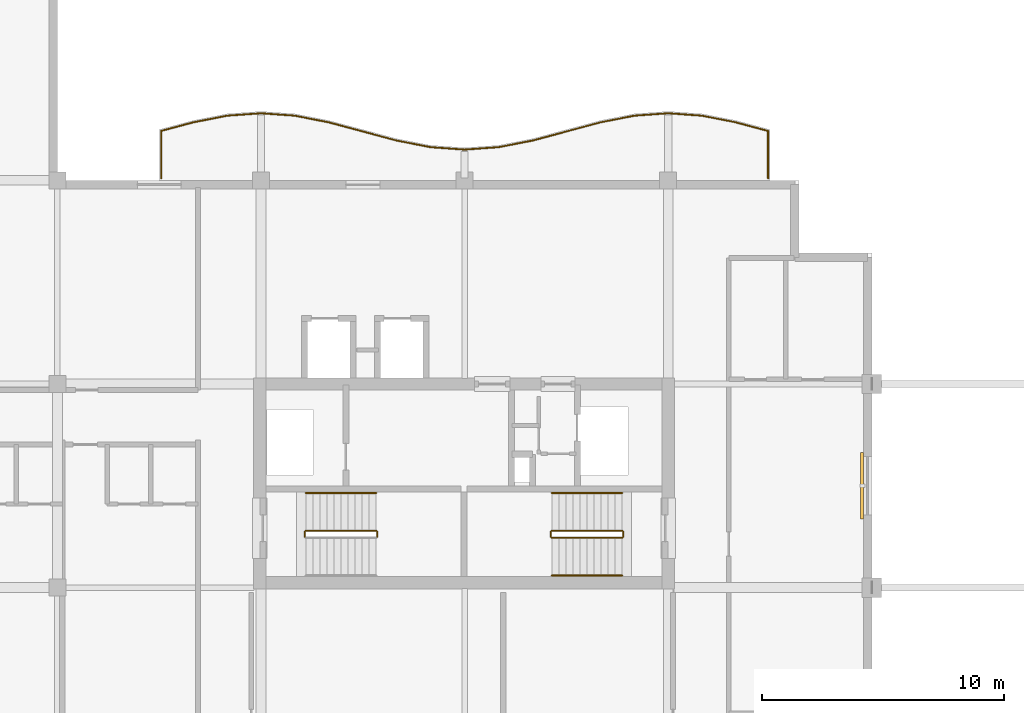
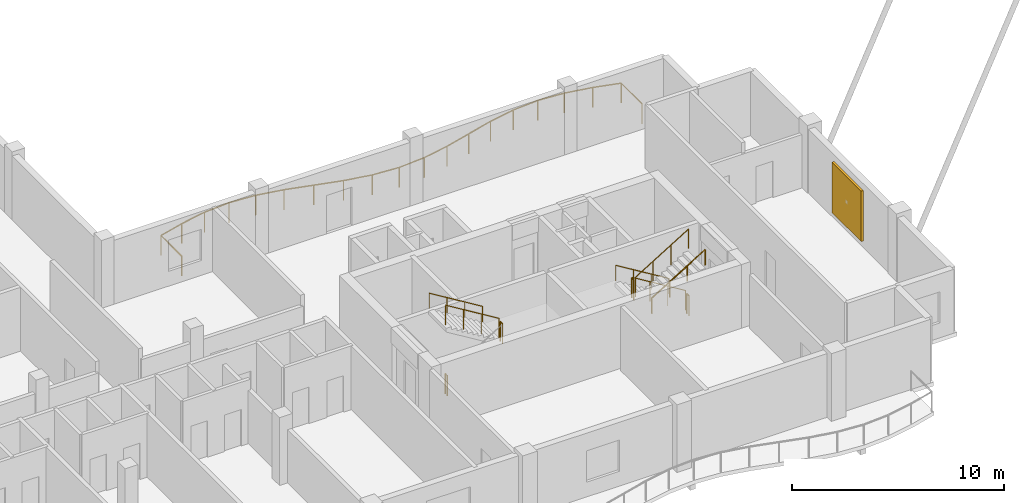
# One storey, part 16 of 17: 11 railings, 1 shading device.
"""IFC4 building model written with IfcOpenShell, lengths in metres."""

from ifc_helpers import new_model, si_unit, direction, frame, origin, origin_2d, place, context, subcontext, project, spatial, rectangle, circle, extrude, material, layer, layer_set, type_object, element, save


model = new_model("IFC4")

# Units and contexts
model_context = context("Model", 3, precision=1e-05, world=origin(), true_north=direction((0.0, 1.0)))
body_context = subcontext(model_context, "Body", "Model", "MODEL_VIEW")
ifc_project = project(units=[si_unit("LENGTHUNIT", "METRE"), si_unit("AREAUNIT", "SQUARE_METRE"), si_unit("VOLUMEUNIT", "CUBIC_METRE"), si_unit("PLANEANGLEUNIT", "RADIAN"), si_unit("MASSUNIT", "GRAM", prefix="KILO")], contexts=[model_context])

# Site, building, storey
site_placement = place(None, origin())
site = spatial("IfcSite", under=ifc_project, at=site_placement, CompositionType="ELEMENT")
building_placement = place(site_placement, origin())
building = spatial("IfcBuilding", under=site, at=building_placement, Name="Koriwani Terraces Tower", CompositionType="ELEMENT")
storey_placement = place(building_placement, frame((0.0, 0.0, 347.60009765625)))
storey = spatial("IfcBuildingStorey", under=building, at=storey_placement, Name="L86", CompositionType="ELEMENT", Elevation=347.60009765625)

# Railings
ifc_material_1 = material(Name="Steel ASTM A572 Grade 50", Category="steel")
railing_type_1 = type_object("IfcRailingType", Name="GUARD_BALUSTRADE_1150", PredefinedType="BALUSTRADE", material=ifc_material_1)
railing_1_placement = place(storey_placement, frame((62.919921875, 33.679931640625, 0.0)))
element("IfcRailing", 1, at=railing_1_placement, inside=storey, type_object=railing_type_1, Name="L86 Balcony Perimeter Safety Balustrade (NE)", PredefinedType="BALUSTRADE", context=body_context, shape_type="SweptSolid", body=[
    extrude(circle(Radius=0.02392578125, at=origin_2d()), frame((0.0, 0.0, 1.1259765625), z_axis=(0.0, 1.0, 0.0), x_axis=(-1.0, 0.0, 0.0)), (0.0, 0.0, 1.0), 1.958740234375),
    extrude(circle(Radius=0.02392578125, at=origin_2d()), frame((0.0, 1.958740234375, 1.1259765625), z_axis=(-0.965953557044, 0.25871553033, 0.0), x_axis=(-0.25871553033, -0.965953557044, 0.0)), (0.0, 0.0, 1.0), 1.38525390625),
    extrude(circle(Radius=0.02392578125, at=origin_2d()), frame((-1.338134765625, 2.317138671875, 1.1259765625), z_axis=(-0.981321393675, 0.19237547223, 0.0), x_axis=(-0.19237547223, -0.981321393675, 0.0)), (0.0, 0.0, 1.0), 1.4189453125),
    extrude(circle(Radius=0.02392578125, at=origin_2d()), frame((-2.73046875, 2.590087890625, 1.1259765625), z_axis=(-0.997427466293, 0.07168297904, 0.0), x_axis=(-0.07168297904, -0.997427466293, 0.0)), (0.0, 0.0, 1.0), 1.39306640625),
    extrude(circle(Radius=0.02392578125, at=origin_2d()), frame((-4.119873046875, 2.68994140625, 1.1259765625), z_axis=(-0.997427466293, -0.07168297904, 0.0), x_axis=(0.07168297904, -0.997427466293, 0.0)), (0.0, 0.0, 1.0), 1.39306640625),
    extrude(circle(Radius=0.02392578125, at=origin_2d()), frame((-5.50927734375, 2.590087890625, 1.1259765625), z_axis=(-0.981327760125, -0.192342993657, 0.0), x_axis=(0.192342993657, -0.981327760125, 0.0)), (0.0, 0.0, 1.0), 1.419189453125),
    extrude(circle(Radius=0.02392578125, at=origin_2d()), frame((-6.90185546875, 2.317138671875, 1.1259765625), z_axis=(-0.96594917914, -0.258731875344, 0.0), x_axis=(0.258731875344, -0.96594917914, 0.0)), (0.0, 0.0, 1.0), 2.898681640625),
    extrude(circle(Radius=0.02392578125, at=origin_2d()), frame((-9.701904296875, 1.567138671875, 1.1259765625), z_axis=(-0.981358469957, -0.192186246762, 0.0), x_axis=(0.192186246762, -0.981358469957, 0.0)), (0.0, 0.0, 1.0), 1.434326171875),
    extrude(circle(Radius=0.02392578125, at=origin_2d()), frame((-11.109375, 1.29150390625, 1.1259765625), z_axis=(-0.997430581876, -0.071639614309, 0.0), x_axis=(0.071639614309, -0.997430581876, 0.0)), (0.0, 0.0, 1.0), 1.414306640625),
    extrude(circle(Radius=0.02392578125, at=origin_2d()), frame((-12.52001953125, 1.190185546875, 1.1259765625), z_axis=(-0.997429695692, 0.071651951482, 0.0), x_axis=(-0.071651951482, -0.997429695692, 0.0)), (0.0, 0.0, 1.0), 1.4140625),
    extrude(circle(Radius=0.02392578125, at=origin_2d()), frame((-13.930419921875, 1.29150390625, 1.1259765625), z_axis=(-0.981358469957, 0.192186246762, 0.0), x_axis=(-0.192186246762, -0.981358469957, 0.0)), (0.0, 0.0, 1.0), 1.434326171875),
    extrude(circle(Radius=0.02392578125, at=origin_2d()), frame((-15.337890625, 1.567138671875, 1.1259765625), z_axis=(-0.96594917914, 0.258731875344, 0.0), x_axis=(-0.258731875344, -0.96594917914, 0.0)), (0.0, 0.0, 1.0), 2.898681640625),
    extrude(circle(Radius=0.02392578125, at=origin_2d()), frame((-18.137939453125, 2.317138671875, 1.1259765625), z_axis=(-0.981327760125, 0.192342993657, 0.0), x_axis=(-0.192342993657, -0.981327760125, 0.0)), (0.0, 0.0, 1.0), 1.419189453125),
    extrude(circle(Radius=0.02392578125, at=origin_2d()), frame((-19.530517578125, 2.590087890625, 1.1259765625), z_axis=(-0.997427466293, 0.07168297904, 0.0), x_axis=(-0.07168297904, -0.997427466293, 0.0)), (0.0, 0.0, 1.0), 1.39306640625),
    extrude(circle(Radius=0.02392578125, at=origin_2d()), frame((-20.919921875, 2.68994140625, 1.1259765625), z_axis=(-0.997427466293, -0.07168297904, 0.0), x_axis=(0.07168297904, -0.997427466293, 0.0)), (0.0, 0.0, 1.0), 1.39306640625),
    extrude(circle(Radius=0.02392578125, at=origin_2d()), frame((-22.309326171875, 2.590087890625, 1.1259765625), z_axis=(-0.981327760125, -0.192342993657, 0.0), x_axis=(0.192342993657, -0.981327760125, 0.0)), (0.0, 0.0, 1.0), 1.419189453125),
    extrude(circle(Radius=0.02392578125, at=origin_2d()), frame((-23.701904296875, 2.317138671875, 1.1259765625), z_axis=(-0.965953557044, -0.25871553033, 0.0), x_axis=(0.25871553033, -0.965953557044, 0.0)), (0.0, 0.0, 1.0), 1.38525390625),
    extrude(circle(Radius=0.02392578125, at=origin_2d()), frame((-25.0400390625, 1.958740234375, 1.1259765625), z_axis=(0.0, -1.0, 0.0), x_axis=(1.0, 0.0, 0.0)), (0.0, 0.0, 1.0), 1.958740234375),
    extrude(circle(Radius=0.02099609375, at=origin_2d()), origin(), (0.0, 0.0, 1.0), 1.101806640625),
    extrude(circle(Radius=0.02099609375, at=origin_2d()), frame((0.0, 1.958740234375, 0.0)), (0.0, 0.0, 1.0), 1.101806640625),
    extrude(circle(Radius=0.02099609375, at=origin_2d()), frame((-1.338134765625, 2.317138671875, 0.0)), (0.0, 0.0, 1.0), 1.101806640625),
    extrude(circle(Radius=0.02099609375, at=origin_2d()), frame((-2.73046875, 2.590087890625, 0.0)), (0.0, 0.0, 1.0), 1.101806640625),
    extrude(circle(Radius=0.02099609375, at=origin_2d()), frame((-4.119873046875, 2.68994140625, 0.0)), (0.0, 0.0, 1.0), 1.101806640625),
    extrude(circle(Radius=0.02099609375, at=origin_2d()), frame((-5.50927734375, 2.590087890625, 0.0)), (0.0, 0.0, 1.0), 1.101806640625),
    extrude(circle(Radius=0.02099609375, at=origin_2d()), frame((-6.90185546875, 2.317138671875, 0.0)), (0.0, 0.0, 1.0), 1.101806640625),
    extrude(circle(Radius=0.02099609375, at=origin_2d()), frame((-8.3017578125, 1.942138671875, 0.0)), (0.0, 0.0, 1.0), 1.101806640625),
    extrude(circle(Radius=0.02099609375, at=origin_2d()), frame((-9.701904296875, 1.567138671875, 0.0)), (0.0, 0.0, 1.0), 1.101806640625),
    extrude(circle(Radius=0.02099609375, at=origin_2d()), frame((-11.109375, 1.29150390625, 0.0)), (0.0, 0.0, 1.0), 1.101806640625),
    extrude(circle(Radius=0.02099609375, at=origin_2d()), frame((-12.52001953125, 1.190185546875, 0.0)), (0.0, 0.0, 1.0), 1.101806640625),
    extrude(circle(Radius=0.02099609375, at=origin_2d()), frame((-13.930419921875, 1.29150390625, 0.0)), (0.0, 0.0, 1.0), 1.101806640625),
    extrude(circle(Radius=0.02099609375, at=origin_2d()), frame((-15.337890625, 1.567138671875, 0.0)), (0.0, 0.0, 1.0), 1.101806640625),
    extrude(circle(Radius=0.02099609375, at=origin_2d()), frame((-16.73779296875, 1.942138671875, 0.0)), (0.0, 0.0, 1.0), 1.101806640625),
    extrude(circle(Radius=0.02099609375, at=origin_2d()), frame((-18.137939453125, 2.317138671875, 0.0)), (0.0, 0.0, 1.0), 1.101806640625),
    extrude(circle(Radius=0.02099609375, at=origin_2d()), frame((-19.530517578125, 2.590087890625, 0.0)), (0.0, 0.0, 1.0), 1.101806640625),
    extrude(circle(Radius=0.02099609375, at=origin_2d()), frame((-20.919921875, 2.68994140625, 0.0)), (0.0, 0.0, 1.0), 1.101806640625),
    extrude(circle(Radius=0.02099609375, at=origin_2d()), frame((-22.309326171875, 2.590087890625, 0.0)), (0.0, 0.0, 1.0), 1.101806640625),
    extrude(circle(Radius=0.02099609375, at=origin_2d()), frame((-23.701904296875, 2.317138671875, 0.0)), (0.0, 0.0, 1.0), 1.101806640625),
    extrude(circle(Radius=0.02099609375, at=origin_2d()), frame((-25.0400390625, 1.958740234375, 0.0)), (0.0, 0.0, 1.0), 1.101806640625),
    extrude(circle(Radius=0.02099609375, at=origin_2d()), frame((-25.0400390625, 0.0, 0.0)), (0.0, 0.0, 1.0), 1.101806640625),
])
railing_type_2 = type_object("IfcRailingType", Name="GUARD_STAIR_WELL_1120", PredefinedType="GUARDRAIL", material=ifc_material_1)
railing_2_placement = place(storey_placement, frame((46.800048828125, 18.89990234375, 1.949951171875)))
element("IfcRailing", 2, at=railing_2_placement, inside=storey, type_object=railing_type_2, Name="L86 ST-E1 stair guard 2", PredefinedType="GUARDRAIL", context=body_context, shape_type="SweptSolid", body=[
    extrude(circle(Radius=0.02392578125, at=origin_2d()), frame((0.0, 0.0, 1.1259765625), z_axis=(0.0, 1.0, 0.0), x_axis=(-1.0, 0.0, 0.0)), (0.0, 0.0, 1.0), 0.2001953125),
    extrude(circle(Radius=0.02099609375, at=origin_2d()), origin(), (0.0, 0.0, 1.0), 1.101806640625),
    extrude(circle(Radius=0.02099609375, at=origin_2d()), frame((0.0, 0.2001953125, 0.0)), (0.0, 0.0, 1.0), 1.101806640625),
])
railing_3_placement = place(storey_placement, frame((46.75, 19.14990234375, 2.127197265625)))
element("IfcRailing", 3, at=railing_3_placement, inside=storey, type_object=railing_type_2, Name="L86 ST-E1 stair guard 3", PredefinedType="GUARDRAIL", context=body_context, shape_type="SweptSolid", body=[
    extrude(circle(Radius=0.02392578125, at=origin_2d()), frame((0.0, 0.0, 1.1259765625), z_axis=(-0.853210801645, 0.0, 0.521566225858), x_axis=(0.0, -1.0, 0.0)), (0.0, 0.0, 1.0), 3.39892578125),
    extrude(circle(Radius=0.02099609375, at=origin_2d()), origin(), (0.0, 0.0, 1.0), 1.101806640625),
    extrude(circle(Radius=0.02099609375, at=origin_2d()), frame((-0.966552734375, 0.0, 0.5908203125)), (0.0, 0.0, 1.0), 1.101806640625),
    extrude(circle(Radius=0.02099609375, at=origin_2d()), frame((-1.933349609375, 0.0, 1.181884765625)), (0.0, 0.0, 1.0), 1.101806640625),
    extrude(circle(Radius=0.02099609375, at=origin_2d()), frame((-2.89990234375, 0.0, 1.772705078125)), (0.0, 0.0, 1.0), 1.101806640625),
])
railing_4_placement = place(storey_placement, frame((43.800048828125, 18.89990234375, 0.0)))
element("IfcRailing", 4, at=railing_4_placement, inside=storey, type_object=railing_type_2, Name="L86 ST-E1 stair guard 4", PredefinedType="GUARDRAIL", context=body_context, shape_type="SweptSolid", body=[
    extrude(circle(Radius=0.02392578125, at=origin_2d()), frame((0.0, 0.0, 1.1259765625), z_axis=(0.0, 1.0, 0.0), x_axis=(-1.0, 0.0, 0.0)), (0.0, 0.0, 1.0), 0.2001953125),
    extrude(circle(Radius=0.02099609375, at=origin_2d()), origin(), (0.0, 0.0, 1.0), 1.101806640625),
    extrude(circle(Radius=0.02099609375, at=origin_2d()), frame((0.0, 0.2001953125, 0.0)), (0.0, 0.0, 1.0), 1.101806640625),
])
railing_5_placement = place(storey_placement, frame((56.89990234375, 19.14990234375, 0.17724609375)))
element("IfcRailing", 5, at=railing_5_placement, inside=storey, type_object=railing_type_2, Name="L86 ST-E2 stair guard 1", PredefinedType="GUARDRAIL", context=body_context, shape_type="SweptSolid", body=[
    extrude(circle(Radius=0.02392578125, at=origin_2d()), frame((0.0, 0.0, 1.1259765625), z_axis=(-0.853210801645, 0.0, 0.521566225858), x_axis=(0.0, -1.0, 0.0)), (0.0, 0.0, 1.0), 3.39892578125),
    extrude(circle(Radius=0.02099609375, at=origin_2d()), origin(), (0.0, 0.0, 1.0), 1.101806640625),
    extrude(circle(Radius=0.02099609375, at=origin_2d()), frame((-0.966552734375, 0.0, 0.5908203125)), (0.0, 0.0, 1.0), 1.101806640625),
    extrude(circle(Radius=0.02099609375, at=origin_2d()), frame((-1.933349609375, 0.0, 1.181884765625)), (0.0, 0.0, 1.0), 1.101806640625),
    extrude(circle(Radius=0.02099609375, at=origin_2d()), frame((-2.89990234375, 0.0, 1.772705078125)), (0.0, 0.0, 1.0), 1.101806640625),
])
railing_6_placement = place(storey_placement, frame((53.949951171875, 19.10009765625, 1.949951171875)))
element("IfcRailing", 6, at=railing_6_placement, inside=storey, type_object=railing_type_2, Name="L86 ST-E2 stair guard 2", PredefinedType="GUARDRAIL", context=body_context, shape_type="SweptSolid", body=[
    extrude(circle(Radius=0.02392578125, at=origin_2d()), frame((0.0, 0.0, 1.1259765625), z_axis=(0.0, -1.0, 0.0), x_axis=(1.0, 0.0, 0.0)), (0.0, 0.0, 1.0), 0.2001953125),
    extrude(circle(Radius=0.02099609375, at=origin_2d()), origin(), (0.0, 0.0, 1.0), 1.101806640625),
    extrude(circle(Radius=0.02099609375, at=origin_2d()), frame((0.0, -0.2001953125, 0.0)), (0.0, 0.0, 1.0), 1.101806640625),
])
railing_7_placement = place(storey_placement, frame((54.0, 18.85009765625, 2.127197265625)))
element("IfcRailing", 7, at=railing_7_placement, inside=storey, type_object=railing_type_2, Name="L86 ST-E2 stair guard 3", PredefinedType="GUARDRAIL", context=body_context, shape_type="SweptSolid", body=[
    extrude(circle(Radius=0.02392578125, at=origin_2d()), frame((0.0, 0.0, 1.1259765625), z_axis=(0.853210801645, 0.0, 0.521566225858), x_axis=(0.0, 1.0, 0.0)), (0.0, 0.0, 1.0), 3.39892578125),
    extrude(circle(Radius=0.02099609375, at=origin_2d()), origin(), (0.0, 0.0, 1.0), 1.101806640625),
    extrude(circle(Radius=0.02099609375, at=origin_2d()), frame((0.966552734375, 0.0, 0.5908203125)), (0.0, 0.0, 1.0), 1.101806640625),
    extrude(circle(Radius=0.02099609375, at=origin_2d()), frame((1.933349609375, 0.0, 1.181884765625)), (0.0, 0.0, 1.0), 1.101806640625),
    extrude(circle(Radius=0.02099609375, at=origin_2d()), frame((2.89990234375, 0.0, 1.772705078125)), (0.0, 0.0, 1.0), 1.101806640625),
])
railing_8_placement = place(storey_placement, frame((56.949951171875, 19.10009765625, 0.0)))
element("IfcRailing", 8, at=railing_8_placement, inside=storey, type_object=railing_type_2, Name="L86 ST-E2 stair guard 4", PredefinedType="GUARDRAIL", context=body_context, shape_type="SweptSolid", body=[
    extrude(circle(Radius=0.02392578125, at=origin_2d()), frame((0.0, 0.0, 1.1259765625), z_axis=(0.0, -1.0, 0.0), x_axis=(1.0, 0.0, 0.0)), (0.0, 0.0, 1.0), 0.2001953125),
    extrude(circle(Radius=0.02099609375, at=origin_2d()), origin(), (0.0, 0.0, 1.0), 1.101806640625),
    extrude(circle(Radius=0.02099609375, at=origin_2d()), frame((0.0, -0.2001953125, 0.0)), (0.0, 0.0, 1.0), 1.101806640625),
])
railing_type_3 = type_object("IfcRailingType", Name="HANDRAIL_STAIR_920", PredefinedType="HANDRAIL", material=ifc_material_1)
for number, where, name in (
    (9, (46.75, 20.699951171875, 2.127197265625), "L86 ST-E1 stair handrail 2"),
    (10, (56.89990234375, 20.699951171875, 0.17724609375), "L86 ST-E2 stair handrail 1"),
):
    element("IfcRailing", number, at=place(storey_placement, frame(where)), inside=storey, type_object=railing_type_3, Name=name, PredefinedType="HANDRAIL", context=body_context, shape_type="SweptSolid", body=[
        extrude(circle(Radius=0.02392578125, at=origin_2d()), frame((0.0, 0.0, 0.8759765625), z_axis=(-0.853210801645, 0.0, 0.521566225858), x_axis=(0.0, -1.0, 0.0)), (0.0, 0.0, 1.0), 3.39892578125),
        extrude(circle(Radius=0.02099609375, at=origin_2d()), origin(), (0.0, 0.0, 1.0), 0.851806640625),
        extrude(circle(Radius=0.02099609375, at=origin_2d()), frame((-0.966552734375, 0.0, 0.5908203125)), (0.0, 0.0, 1.0), 0.851806640625),
        extrude(circle(Radius=0.02099609375, at=origin_2d()), frame((-1.933349609375, 0.0, 1.181884765625)), (0.0, 0.0, 1.0), 0.851806640625),
        extrude(circle(Radius=0.02099609375, at=origin_2d()), frame((-2.89990234375, 0.0, 1.772705078125)), (0.0, 0.0, 1.0), 0.851806640625),
    ])
railing_9_placement = place(storey_placement, frame((54.0, 17.300048828125, 2.127197265625)))
element("IfcRailing", 11, at=railing_9_placement, inside=storey, type_object=railing_type_3, Name="L86 ST-E2 stair handrail 2", PredefinedType="HANDRAIL", context=body_context, shape_type="SweptSolid", body=[
    extrude(circle(Radius=0.02392578125, at=origin_2d()), frame((0.0, 0.0, 0.8759765625), z_axis=(0.853210801645, 0.0, 0.521566225858), x_axis=(0.0, 1.0, 0.0)), (0.0, 0.0, 1.0), 3.39892578125),
    extrude(circle(Radius=0.02099609375, at=origin_2d()), origin(), (0.0, 0.0, 1.0), 0.851806640625),
    extrude(circle(Radius=0.02099609375, at=origin_2d()), frame((0.966552734375, 0.0, 0.5908203125)), (0.0, 0.0, 1.0), 0.851806640625),
    extrude(circle(Radius=0.02099609375, at=origin_2d()), frame((1.933349609375, 0.0, 1.181884765625)), (0.0, 0.0, 1.0), 0.851806640625),
    extrude(circle(Radius=0.02099609375, at=origin_2d()), frame((2.89990234375, 0.0, 1.772705078125)), (0.0, 0.0, 1.0), 0.851806640625),
])

# Shading device
ifc_material_2 = material(Name="Extruded Terracotta Clay", Category="masonry")
ifc_layer = layer(ifc_material_2, 0.1201171875, Name="Extruded Terracotta Clay")
ifc_layer_set = layer_set([ifc_layer], Name="Extruded Terracotta Clay")
shading_device_type = type_object("IfcShadingDeviceType", Name="TERRACOTTA_BAGUETTE_SCREEN_2800", PredefinedType="USERDEFINED", material=ifc_layer_set)
shading_device_placement = place(storey_placement, frame((66.794921875, 21.0, 0.385009765625), z_axis=(0.0, 0.0, 1.0), x_axis=(0.0, -1.0, 0.0)))
element("IfcShadingDevice", 12, at=shading_device_placement, inside=storey, type_object=shading_device_type, Name="L86 Extruded Terracotta Baguette Screen (E_TIP-3)", ObjectType="BAGUETTE", PredefinedType="USERDEFINED", context=body_context, shape_type="SweptSolid", body=[
    extrude(rectangle(XDim=2.760009765625, YDim=0.1201171875, at=origin_2d()), origin(), (0.0, 0.0, 1.0), 2.89990234375),
])

save(model, "model.ifc")
